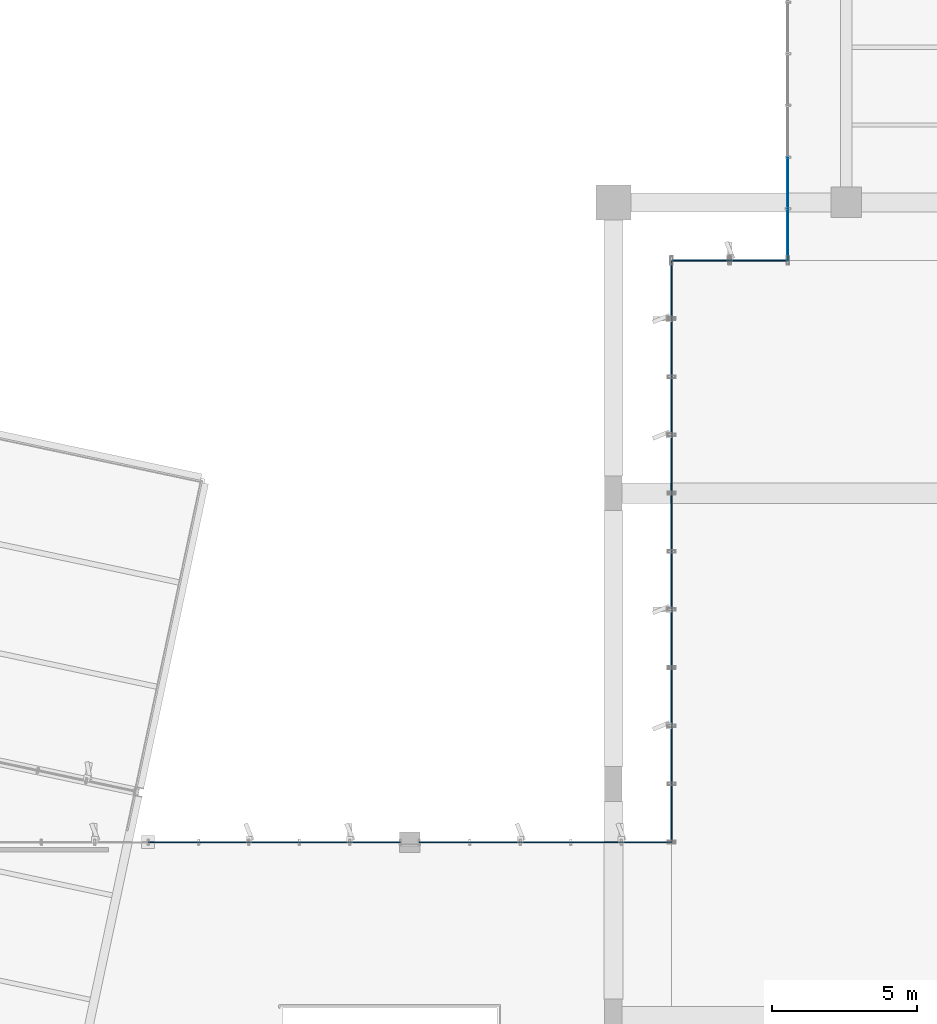
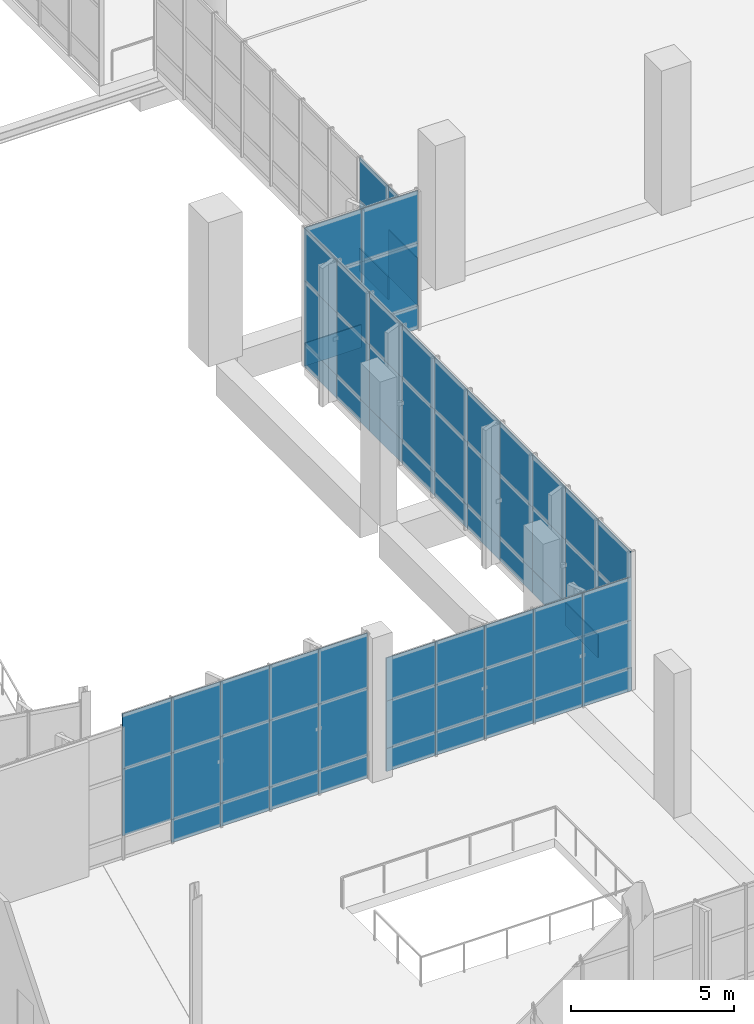
# One storey, part 123 of 176: 71 plates, 6 elements without a shape of their own.
"""IFC4 building model written with IfcOpenShell, lengths in metres."""

from ifc_helpers import new_model, si_unit, direction, frame, origin, origin_2d, place, context, subcontext, project, spatial, rectangle, extrude, material, layer, layer_set, type_object, element, aggregate, save


model = new_model("IFC4")

# Units and contexts
model_context = context("Model", 3, precision=1e-05, world=origin(), true_north=direction((0.0, 1.0)))
body_context = subcontext(model_context, "Body", "Model", "MODEL_VIEW")
ifc_project = project(units=[si_unit("LENGTHUNIT", "METRE"), si_unit("AREAUNIT", "SQUARE_METRE"), si_unit("VOLUMEUNIT", "CUBIC_METRE"), si_unit("PLANEANGLEUNIT", "RADIAN"), si_unit("MASSUNIT", "GRAM", prefix="KILO")], contexts=[model_context])

# Site, building, storey
site_placement = place(None, origin())
site = spatial("IfcSite", under=ifc_project, at=site_placement, CompositionType="ELEMENT")
building_placement = place(site_placement, origin())
building = spatial("IfcBuilding", under=site, at=building_placement, Name="Khorjan Park Terminus", CompositionType="ELEMENT")
storey_placement = place(building_placement, frame((0.0, 0.0, 6.0)))
storey = spatial("IfcBuildingStorey", under=building, at=storey_placement, Name="L01", CompositionType="ELEMENT", Elevation=6.0)

# Curtain wall, plates
ifc_material_1 = material(Name="Anodized Bronze Aluminium", Category="aluminium")
ifc_layer_1 = layer(ifc_material_1, 0.22)
ifc_layer_set_1 = layer_set([ifc_layer_1], Name="Anodized Bronze Aluminium")
curtain_wall_type_1 = type_object("IfcCurtainWallType", Name="CW-BRG-D", PredefinedType="NOTDEFINED", material=ifc_layer_set_1)
curtain_wall_1_placement = place(storey_placement, origin())
curtain_wall_1 = element("IfcCurtainWall", 1, at=curtain_wall_1_placement, inside=storey, type_object=curtain_wall_type_1, Name="Unitized curtain wall CW-D (CW-NKW-W-L01)", PredefinedType="NOTDEFINED")
ifc_material_2 = material(Name="Low-E Solar Control Double Glazing", Category="glass")
ifc_layer_2 = layer(ifc_material_2, 0.032)
ifc_layer_set_2 = layer_set([ifc_layer_2], Name="Low-E Solar Control Double Glazing")
plate_type_1 = type_object("IfcPlateType", Name="GL-VIS-32", PredefinedType="CURTAIN_PANEL", material=ifc_layer_set_2)
plate_1_placement = place(storey_placement, frame((54.0, 88.6667, 0.85), z_axis=(0.0, 0.0, 1.0), x_axis=(0.0, -1.0, 0.0)))
plate_1 = element("IfcPlate", 2, at=plate_1_placement, type_object=plate_type_1, Name="Curtain-wall panel VP-32 (CW-NKW-W-L01-7-2)", PredefinedType="CURTAIN_PANEL", context=body_context, shape_type="SweptSolid", body=[
    extrude(rectangle(XDim=1.7778, YDim=0.032, at=origin_2d()), origin(), (0.0, 0.0, 1.0), 1.7695),
])
plate_2_placement = place(storey_placement, frame((54.0, 88.6667, 2.6196), z_axis=(0.0, 0.0, 1.0), x_axis=(0.0, -1.0, 0.0)))
plate_2 = element("IfcPlate", 3, at=plate_2_placement, type_object=plate_type_1, Name="Curtain-wall panel VP-32 (CW-NKW-W-L01-7-3)", PredefinedType="CURTAIN_PANEL", context=body_context, shape_type="SweptSolid", body=[
    extrude(rectangle(XDim=1.7778, YDim=0.032, at=origin_2d()), origin(), (0.0, 0.0, 1.0), 1.6155),
])
plate_3_placement = place(storey_placement, frame((54.0, 86.8889, 0.85), z_axis=(0.0, 0.0, 1.0), x_axis=(0.0, -1.0, 0.0)))
plate_3 = element("IfcPlate", 4, at=plate_3_placement, type_object=plate_type_1, Name="Curtain-wall panel VP-32 (CW-NKW-W-L01-8-2)", PredefinedType="CURTAIN_PANEL", context=body_context, shape_type="SweptSolid", body=[
    extrude(rectangle(XDim=1.7778, YDim=0.032, at=origin_2d()), origin(), (0.0, 0.0, 1.0), 1.7695),
])
plate_4_placement = place(storey_placement, frame((54.0, 86.8889, 2.6196), z_axis=(0.0, 0.0, 1.0), x_axis=(0.0, -1.0, 0.0)))
plate_4 = element("IfcPlate", 5, at=plate_4_placement, type_object=plate_type_1, Name="Curtain-wall panel VP-32 (CW-NKW-W-L01-8-3)", PredefinedType="CURTAIN_PANEL", context=body_context, shape_type="SweptSolid", body=[
    extrude(rectangle(XDim=1.7778, YDim=0.032, at=origin_2d()), origin(), (0.0, 0.0, 1.0), 1.6155),
])

ifc_layer_3 = layer(ifc_material_1, 0.22)
ifc_layer_set_3 = layer_set([ifc_layer_3], Name="Anodized Bronze Aluminium")
curtain_wall_type_2 = type_object("IfcCurtainWallType", Name="CW-PAV-C", PredefinedType="NOTDEFINED", material=ifc_layer_set_3)
curtain_wall_2_placement = place(storey_placement, origin())
curtain_wall_2 = element("IfcCurtainWall", 6, at=curtain_wall_2_placement, inside=storey, type_object=curtain_wall_type_2, Name="Unitized curtain wall CW-C (CW-V4L-N-L01-2)", PredefinedType="NOTDEFINED")
ifc_material_3 = material(Name="Acoustic Laminated Solar Glazing", Category="glass")
ifc_layer_4 = layer(ifc_material_3, 0.036)
ifc_layer_set_4 = layer_set([ifc_layer_4], Name="Acoustic Laminated Solar Glazing")
plate_type_2 = type_object("IfcPlateType", Name="GL-VIS-36", PredefinedType="CURTAIN_PANEL", material=ifc_layer_set_4)
plate_5_placement = place(storey_placement, frame((39.803, 66.0, 0.85), z_axis=(0.0, 0.0, 1.0), x_axis=(-1.0, 0.0, 0.0)))
plate_5 = element("IfcPlate", 7, at=plate_5_placement, type_object=plate_type_2, Name="Curtain-wall panel VP-36 (CW-V4L-N-L01-2-0-2)", PredefinedType="CURTAIN_PANEL", context=body_context, shape_type="SweptSolid", body=[
    extrude(rectangle(XDim=1.734, YDim=0.036, at=origin_2d()), origin(), (0.0, 0.0, 1.0), 2.498),
])
plate_6_placement = place(storey_placement, frame((39.803, 66.0, 3.348), z_axis=(0.0, 0.0, 1.0), x_axis=(-1.0, 0.0, 0.0)))
plate_6 = element("IfcPlate", 8, at=plate_6_placement, type_object=plate_type_2, Name="Curtain-wall panel VP-36 (CW-V4L-N-L01-2-0-3)", PredefinedType="CURTAIN_PANEL", context=body_context, shape_type="SweptSolid", body=[
    extrude(rectangle(XDim=1.734, YDim=0.036, at=origin_2d()), origin(), (0.0, 0.0, 1.0), 2.062),
])
plate_7_placement = place(storey_placement, frame((38.069, 66.0, 0.85), z_axis=(0.0, 0.0, 1.0), x_axis=(-1.0, 0.0, 0.0)))
plate_7 = element("IfcPlate", 9, at=plate_7_placement, type_object=plate_type_2, Name="Curtain-wall panel VP-36 (CW-V4L-N-L01-2-1-2)", PredefinedType="CURTAIN_PANEL", context=body_context, shape_type="SweptSolid", body=[
    extrude(rectangle(XDim=1.734, YDim=0.036, at=origin_2d()), origin(), (0.0, 0.0, 1.0), 2.498),
])
plate_8_placement = place(storey_placement, frame((38.069, 66.0, 3.348), z_axis=(0.0, 0.0, 1.0), x_axis=(-1.0, 0.0, 0.0)))
plate_8 = element("IfcPlate", 10, at=plate_8_placement, type_object=plate_type_2, Name="Curtain-wall panel VP-36 (CW-V4L-N-L01-2-1-3)", PredefinedType="CURTAIN_PANEL", context=body_context, shape_type="SweptSolid", body=[
    extrude(rectangle(XDim=1.734, YDim=0.036, at=origin_2d()), origin(), (0.0, 0.0, 1.0), 2.062),
])
plate_9_placement = place(storey_placement, frame((36.335, 66.0, 0.85), z_axis=(0.0, 0.0, 1.0), x_axis=(-1.0, 0.0, 0.0)))
plate_9 = element("IfcPlate", 11, at=plate_9_placement, type_object=plate_type_2, Name="Curtain-wall panel VP-36 (CW-V4L-N-L01-2-2-2)", PredefinedType="CURTAIN_PANEL", context=body_context, shape_type="SweptSolid", body=[
    extrude(rectangle(XDim=1.734, YDim=0.036, at=origin_2d()), origin(), (0.0, 0.0, 1.0), 2.498),
])
plate_10_placement = place(storey_placement, frame((36.335, 66.0, 3.348), z_axis=(0.0, 0.0, 1.0), x_axis=(-1.0, 0.0, 0.0)))
plate_10 = element("IfcPlate", 12, at=plate_10_placement, type_object=plate_type_2, Name="Curtain-wall panel VP-36 (CW-V4L-N-L01-2-2-3)", PredefinedType="CURTAIN_PANEL", context=body_context, shape_type="SweptSolid", body=[
    extrude(rectangle(XDim=1.734, YDim=0.036, at=origin_2d()), origin(), (0.0, 0.0, 1.0), 2.062),
])
plate_11_placement = place(storey_placement, frame((34.601, 66.0, 0.85), z_axis=(0.0, 0.0, 1.0), x_axis=(-1.0, 0.0, 0.0)))
plate_11 = element("IfcPlate", 13, at=plate_11_placement, type_object=plate_type_2, Name="Curtain-wall panel VP-36 (CW-V4L-N-L01-2-3-2)", PredefinedType="CURTAIN_PANEL", context=body_context, shape_type="SweptSolid", body=[
    extrude(rectangle(XDim=1.734, YDim=0.036, at=origin_2d()), origin(), (0.0, 0.0, 1.0), 2.498),
])
plate_12_placement = place(storey_placement, frame((34.601, 66.0, 3.348), z_axis=(0.0, 0.0, 1.0), x_axis=(-1.0, 0.0, 0.0)))
plate_12 = element("IfcPlate", 14, at=plate_12_placement, type_object=plate_type_2, Name="Curtain-wall panel VP-36 (CW-V4L-N-L01-2-3-3)", PredefinedType="CURTAIN_PANEL", context=body_context, shape_type="SweptSolid", body=[
    extrude(rectangle(XDim=1.734, YDim=0.036, at=origin_2d()), origin(), (0.0, 0.0, 1.0), 2.062),
])
plate_13_placement = place(storey_placement, frame((32.867, 66.0, 0.85), z_axis=(0.0, 0.0, 1.0), x_axis=(-1.0, 0.0, 0.0)))
plate_13 = element("IfcPlate", 15, at=plate_13_placement, type_object=plate_type_2, Name="Curtain-wall panel VP-36 (CW-V4L-N-L01-2-4-2)", PredefinedType="CURTAIN_PANEL", context=body_context, shape_type="SweptSolid", body=[
    extrude(rectangle(XDim=1.734, YDim=0.036, at=origin_2d()), origin(), (0.0, 0.0, 1.0), 2.498),
])
plate_14_placement = place(storey_placement, frame((32.867, 66.0, 3.348), z_axis=(0.0, 0.0, 1.0), x_axis=(-1.0, 0.0, 0.0)))
plate_14 = element("IfcPlate", 16, at=plate_14_placement, type_object=plate_type_2, Name="Curtain-wall panel VP-36 (CW-V4L-N-L01-2-4-3)", PredefinedType="CURTAIN_PANEL", context=body_context, shape_type="SweptSolid", body=[
    extrude(rectangle(XDim=1.734, YDim=0.036, at=origin_2d()), origin(), (0.0, 0.0, 1.0), 2.062),
])

curtain_wall_3_placement = place(storey_placement, origin())
curtain_wall_3 = element("IfcCurtainWall", 17, at=curtain_wall_3_placement, inside=storey, type_object=curtain_wall_type_2, Name="Unitized curtain wall CW-C (CW-V4L-N-L01-3)", PredefinedType="NOTDEFINED")
plate_15_placement = place(storey_placement, frame((49.133, 66.0, 0.85), z_axis=(0.0, 0.0, 1.0), x_axis=(-1.0, 0.0, 0.0)))
plate_15 = element("IfcPlate", 18, at=plate_15_placement, type_object=plate_type_2, Name="Curtain-wall panel VP-36 (CW-V4L-N-L01-3-0-2)", PredefinedType="CURTAIN_PANEL", context=body_context, shape_type="SweptSolid", body=[
    extrude(rectangle(XDim=1.734, YDim=0.036, at=origin_2d()), origin(), (0.0, 0.0, 1.0), 1.7695),
])
plate_16_placement = place(storey_placement, frame((49.133, 66.0, 2.6196), z_axis=(0.0, 0.0, 1.0), x_axis=(-1.0, 0.0, 0.0)))
plate_16 = element("IfcPlate", 19, at=plate_16_placement, type_object=plate_type_2, Name="Curtain-wall panel VP-36 (CW-V4L-N-L01-3-0-3)", PredefinedType="CURTAIN_PANEL", context=body_context, shape_type="SweptSolid", body=[
    extrude(rectangle(XDim=1.734, YDim=0.036, at=origin_2d()), origin(), (0.0, 0.0, 1.0), 1.6155),
])
plate_17_placement = place(storey_placement, frame((47.399, 66.0, 0.85), z_axis=(0.0, 0.0, 1.0), x_axis=(-1.0, 0.0, 0.0)))
plate_17 = element("IfcPlate", 20, at=plate_17_placement, type_object=plate_type_2, Name="Curtain-wall panel VP-36 (CW-V4L-N-L01-3-1-2)", PredefinedType="CURTAIN_PANEL", context=body_context, shape_type="SweptSolid", body=[
    extrude(rectangle(XDim=1.734, YDim=0.036, at=origin_2d()), origin(), (0.0, 0.0, 1.0), 1.7695),
])
plate_18_placement = place(storey_placement, frame((47.399, 66.0, 2.6196), z_axis=(0.0, 0.0, 1.0), x_axis=(-1.0, 0.0, 0.0)))
plate_18 = element("IfcPlate", 21, at=plate_18_placement, type_object=plate_type_2, Name="Curtain-wall panel VP-36 (CW-V4L-N-L01-3-1-3)", PredefinedType="CURTAIN_PANEL", context=body_context, shape_type="SweptSolid", body=[
    extrude(rectangle(XDim=1.734, YDim=0.036, at=origin_2d()), origin(), (0.0, 0.0, 1.0), 1.6155),
])
plate_19_placement = place(storey_placement, frame((45.665, 66.0, 0.85), z_axis=(0.0, 0.0, 1.0), x_axis=(-1.0, 0.0, 0.0)))
plate_19 = element("IfcPlate", 22, at=plate_19_placement, type_object=plate_type_2, Name="Curtain-wall panel VP-36 (CW-V4L-N-L01-3-2-2)", PredefinedType="CURTAIN_PANEL", context=body_context, shape_type="SweptSolid", body=[
    extrude(rectangle(XDim=1.734, YDim=0.036, at=origin_2d()), origin(), (0.0, 0.0, 1.0), 1.7695),
])
plate_20_placement = place(storey_placement, frame((45.665, 66.0, 2.6196), z_axis=(0.0, 0.0, 1.0), x_axis=(-1.0, 0.0, 0.0)))
plate_20 = element("IfcPlate", 23, at=plate_20_placement, type_object=plate_type_2, Name="Curtain-wall panel VP-36 (CW-V4L-N-L01-3-2-3)", PredefinedType="CURTAIN_PANEL", context=body_context, shape_type="SweptSolid", body=[
    extrude(rectangle(XDim=1.734, YDim=0.036, at=origin_2d()), origin(), (0.0, 0.0, 1.0), 1.6155),
])
plate_21_placement = place(storey_placement, frame((43.931, 66.0, 0.85), z_axis=(0.0, 0.0, 1.0), x_axis=(-1.0, 0.0, 0.0)))
plate_21 = element("IfcPlate", 24, at=plate_21_placement, type_object=plate_type_2, Name="Curtain-wall panel VP-36 (CW-V4L-N-L01-3-3-2)", PredefinedType="CURTAIN_PANEL", context=body_context, shape_type="SweptSolid", body=[
    extrude(rectangle(XDim=1.734, YDim=0.036, at=origin_2d()), origin(), (0.0, 0.0, 1.0), 1.7695),
])
plate_22_placement = place(storey_placement, frame((43.931, 66.0, 2.6196), z_axis=(0.0, 0.0, 1.0), x_axis=(-1.0, 0.0, 0.0)))
plate_22 = element("IfcPlate", 25, at=plate_22_placement, type_object=plate_type_2, Name="Curtain-wall panel VP-36 (CW-V4L-N-L01-3-3-3)", PredefinedType="CURTAIN_PANEL", context=body_context, shape_type="SweptSolid", body=[
    extrude(rectangle(XDim=1.734, YDim=0.036, at=origin_2d()), origin(), (0.0, 0.0, 1.0), 1.6155),
])
plate_23_placement = place(storey_placement, frame((42.197, 66.0, 0.85), z_axis=(0.0, 0.0, 1.0), x_axis=(-1.0, 0.0, 0.0)))
plate_23 = element("IfcPlate", 26, at=plate_23_placement, type_object=plate_type_2, Name="Curtain-wall panel VP-36 (CW-V4L-N-L01-3-4-2)", PredefinedType="CURTAIN_PANEL", context=body_context, shape_type="SweptSolid", body=[
    extrude(rectangle(XDim=1.734, YDim=0.036, at=origin_2d()), origin(), (0.0, 0.0, 1.0), 1.7695),
])
plate_24_placement = place(storey_placement, frame((42.197, 66.0, 2.6196), z_axis=(0.0, 0.0, 1.0), x_axis=(-1.0, 0.0, 0.0)))
plate_24 = element("IfcPlate", 27, at=plate_24_placement, type_object=plate_type_2, Name="Curtain-wall panel VP-36 (CW-V4L-N-L01-3-4-3)", PredefinedType="CURTAIN_PANEL", context=body_context, shape_type="SweptSolid", body=[
    extrude(rectangle(XDim=1.734, YDim=0.036, at=origin_2d()), origin(), (0.0, 0.0, 1.0), 1.6155),
])

ifc_layer_5 = layer(ifc_material_1, 0.22)
ifc_layer_set_5 = layer_set([ifc_layer_5], Name="Anodized Bronze Aluminium")
curtain_wall_type_3 = type_object("IfcCurtainWallType", Name="CW-CONC-A", PredefinedType="NOTDEFINED", material=ifc_layer_set_5)
curtain_wall_4_placement = place(storey_placement, origin())
curtain_wall_4 = element("IfcCurtainWall", 28, at=curtain_wall_4_placement, inside=storey, type_object=curtain_wall_type_3, Name="Unitized curtain wall CW-A (CW-V2-N-L01-01)", PredefinedType="NOTDEFINED")
ifc_material_4 = material(Name="Triple Low-E High-Selectivity Glazing", Category="glass")
ifc_layer_6 = layer(ifc_material_4, 0.04)
ifc_layer_set_6 = layer_set([ifc_layer_6], Name="Triple Low-E High-Selectivity Glazing")
plate_type_3 = type_object("IfcPlateType", Name="GL-VIS-40", PredefinedType="CURTAIN_PANEL", material=ifc_layer_set_6)
plate_25_placement = place(storey_placement, frame((53.0, 86.0, 0.85), z_axis=(0.0, 0.0, 1.0), x_axis=(-1.0, 0.0, 0.0)))
plate_25 = element("IfcPlate", 29, at=plate_25_placement, type_object=plate_type_3, Name="Curtain-wall panel VP-40 (CW-V2-N-L01-01-0-2)", PredefinedType="CURTAIN_PANEL", context=body_context, shape_type="SweptSolid", body=[
    extrude(rectangle(XDim=2.0, YDim=0.04, at=origin_2d()), origin(), (0.0, 0.0, 1.0), 2.343),
])
plate_26_placement = place(storey_placement, frame((53.0, 86.0, 3.193), z_axis=(0.0, 0.0, 1.0), x_axis=(-1.0, 0.0, 0.0)))
plate_26 = element("IfcPlate", 30, at=plate_26_placement, type_object=plate_type_3, Name="Curtain-wall panel VP-40 (CW-V2-N-L01-01-0-3)", PredefinedType="CURTAIN_PANEL", context=body_context, shape_type="SweptSolid", body=[
    extrude(rectangle(XDim=2.0, YDim=0.04, at=origin_2d()), origin(), (0.0, 0.0, 1.0), 1.967),
])
plate_27_placement = place(storey_placement, frame((51.0, 86.0, 0.85), z_axis=(0.0, 0.0, 1.0), x_axis=(-1.0, 0.0, 0.0)))
plate_27 = element("IfcPlate", 31, at=plate_27_placement, type_object=plate_type_3, Name="Curtain-wall panel VP-40 (CW-V2-N-L01-01-1-2)", PredefinedType="CURTAIN_PANEL", context=body_context, shape_type="SweptSolid", body=[
    extrude(rectangle(XDim=2.0, YDim=0.04, at=origin_2d()), origin(), (0.0, 0.0, 1.0), 2.343),
])
plate_28_placement = place(storey_placement, frame((51.0, 86.0, 3.193), z_axis=(0.0, 0.0, 1.0), x_axis=(-1.0, 0.0, 0.0)))
plate_28 = element("IfcPlate", 32, at=plate_28_placement, type_object=plate_type_3, Name="Curtain-wall panel VP-40 (CW-V2-N-L01-01-1-3)", PredefinedType="CURTAIN_PANEL", context=body_context, shape_type="SweptSolid", body=[
    extrude(rectangle(XDim=2.0, YDim=0.04, at=origin_2d()), origin(), (0.0, 0.0, 1.0), 1.967),
])

curtain_wall_5_placement = place(storey_placement, origin())
curtain_wall_5 = element("IfcCurtainWall", 33, at=curtain_wall_5_placement, inside=storey, type_object=curtain_wall_type_3, Name="Unitized curtain wall CW-A (CW-V2-W-L01-04)", PredefinedType="NOTDEFINED")
plate_29_placement = place(storey_placement, frame((50.0, 75.0, 0.85), z_axis=(0.0, 0.0, 1.0), x_axis=(0.0, -1.0, 0.0)))
plate_29 = element("IfcPlate", 34, at=plate_29_placement, type_object=plate_type_3, Name="Curtain-wall panel VP-40 (CW-V2-W-L01-04-0-2)", PredefinedType="CURTAIN_PANEL", context=body_context, shape_type="SweptSolid", body=[
    extrude(rectangle(XDim=2.0, YDim=0.04, at=origin_2d()), origin(), (0.0, 0.0, 1.0), 2.343),
])
plate_30_placement = place(storey_placement, frame((50.0, 75.0, 3.193), z_axis=(0.0, 0.0, 1.0), x_axis=(0.0, -1.0, 0.0)))
plate_30 = element("IfcPlate", 35, at=plate_30_placement, type_object=plate_type_3, Name="Curtain-wall panel VP-40 (CW-V2-W-L01-04-0-3)", PredefinedType="CURTAIN_PANEL", context=body_context, shape_type="SweptSolid", body=[
    extrude(rectangle(XDim=2.0, YDim=0.04, at=origin_2d()), origin(), (0.0, 0.0, 1.0), 1.967),
])
plate_31_placement = place(storey_placement, frame((50.0, 73.0, 0.85), z_axis=(0.0, 0.0, 1.0), x_axis=(0.0, -1.0, 0.0)))
plate_31 = element("IfcPlate", 36, at=plate_31_placement, type_object=plate_type_3, Name="Curtain-wall panel VP-40 (CW-V2-W-L01-04-1-2)", PredefinedType="CURTAIN_PANEL", context=body_context, shape_type="SweptSolid", body=[
    extrude(rectangle(XDim=2.0, YDim=0.04, at=origin_2d()), origin(), (0.0, 0.0, 1.0), 2.343),
])
plate_32_placement = place(storey_placement, frame((50.0, 73.0, 3.193), z_axis=(0.0, 0.0, 1.0), x_axis=(0.0, -1.0, 0.0)))
plate_32 = element("IfcPlate", 37, at=plate_32_placement, type_object=plate_type_3, Name="Curtain-wall panel VP-40 (CW-V2-W-L01-04-1-3)", PredefinedType="CURTAIN_PANEL", context=body_context, shape_type="SweptSolid", body=[
    extrude(rectangle(XDim=2.0, YDim=0.04, at=origin_2d()), origin(), (0.0, 0.0, 1.0), 1.967),
])
plate_33_placement = place(storey_placement, frame((50.0, 71.0, 0.85), z_axis=(0.0, 0.0, 1.0), x_axis=(0.0, -1.0, 0.0)))
plate_33 = element("IfcPlate", 38, at=plate_33_placement, type_object=plate_type_3, Name="Curtain-wall panel VP-40 (CW-V2-W-L01-04-2-2)", PredefinedType="CURTAIN_PANEL", context=body_context, shape_type="SweptSolid", body=[
    extrude(rectangle(XDim=2.0, YDim=0.04, at=origin_2d()), origin(), (0.0, 0.0, 1.0), 2.343),
])
plate_34_placement = place(storey_placement, frame((50.0, 71.0, 3.193), z_axis=(0.0, 0.0, 1.0), x_axis=(0.0, -1.0, 0.0)))
plate_34 = element("IfcPlate", 39, at=plate_34_placement, type_object=plate_type_3, Name="Curtain-wall panel VP-40 (CW-V2-W-L01-04-2-3)", PredefinedType="CURTAIN_PANEL", context=body_context, shape_type="SweptSolid", body=[
    extrude(rectangle(XDim=2.0, YDim=0.04, at=origin_2d()), origin(), (0.0, 0.0, 1.0), 1.967),
])
plate_35_placement = place(storey_placement, frame((50.0, 69.0, 0.85), z_axis=(0.0, 0.0, 1.0), x_axis=(0.0, -1.0, 0.0)))
plate_35 = element("IfcPlate", 40, at=plate_35_placement, type_object=plate_type_3, Name="Curtain-wall panel VP-40 (CW-V2-W-L01-04-3-2)", PredefinedType="CURTAIN_PANEL", context=body_context, shape_type="SweptSolid", body=[
    extrude(rectangle(XDim=2.0, YDim=0.04, at=origin_2d()), origin(), (0.0, 0.0, 1.0), 2.343),
])
plate_36_placement = place(storey_placement, frame((50.0, 69.0, 3.193), z_axis=(0.0, 0.0, 1.0), x_axis=(0.0, -1.0, 0.0)))
plate_36 = element("IfcPlate", 41, at=plate_36_placement, type_object=plate_type_3, Name="Curtain-wall panel VP-40 (CW-V2-W-L01-04-3-3)", PredefinedType="CURTAIN_PANEL", context=body_context, shape_type="SweptSolid", body=[
    extrude(rectangle(XDim=2.0, YDim=0.04, at=origin_2d()), origin(), (0.0, 0.0, 1.0), 1.967),
])
plate_37_placement = place(storey_placement, frame((50.0, 67.0, 0.85), z_axis=(0.0, 0.0, 1.0), x_axis=(0.0, -1.0, 0.0)))
plate_37 = element("IfcPlate", 42, at=plate_37_placement, type_object=plate_type_3, Name="Curtain-wall panel VP-40 (CW-V2-W-L01-04-4-2)", PredefinedType="CURTAIN_PANEL", context=body_context, shape_type="SweptSolid", body=[
    extrude(rectangle(XDim=2.0, YDim=0.04, at=origin_2d()), origin(), (0.0, 0.0, 1.0), 2.343),
])
plate_38_placement = place(storey_placement, frame((50.0, 67.0, 3.193), z_axis=(0.0, 0.0, 1.0), x_axis=(0.0, -1.0, 0.0)))
plate_38 = element("IfcPlate", 43, at=plate_38_placement, type_object=plate_type_3, Name="Curtain-wall panel VP-40 (CW-V2-W-L01-04-4-3)", PredefinedType="CURTAIN_PANEL", context=body_context, shape_type="SweptSolid", body=[
    extrude(rectangle(XDim=2.0, YDim=0.04, at=origin_2d()), origin(), (0.0, 0.0, 1.0), 1.967),
])

curtain_wall_6_placement = place(storey_placement, origin())
curtain_wall_6 = element("IfcCurtainWall", 44, at=curtain_wall_6_placement, inside=storey, type_object=curtain_wall_type_3, Name="Unitized curtain wall CW-A (CW-V2-W-L01-05)", PredefinedType="NOTDEFINED")
plate_39_placement = place(storey_placement, frame((50.0, 85.0, 0.85), z_axis=(0.0, 0.0, 1.0), x_axis=(0.0, -1.0, 0.0)))
plate_39 = element("IfcPlate", 45, at=plate_39_placement, type_object=plate_type_3, Name="Curtain-wall panel VP-40 (CW-V2-W-L01-05-0-2)", PredefinedType="CURTAIN_PANEL", context=body_context, shape_type="SweptSolid", body=[
    extrude(rectangle(XDim=2.0, YDim=0.04, at=origin_2d()), origin(), (0.0, 0.0, 1.0), 2.343),
])
plate_40_placement = place(storey_placement, frame((50.0, 85.0, 3.193), z_axis=(0.0, 0.0, 1.0), x_axis=(0.0, -1.0, 0.0)))
plate_40 = element("IfcPlate", 46, at=plate_40_placement, type_object=plate_type_3, Name="Curtain-wall panel VP-40 (CW-V2-W-L01-05-0-3)", PredefinedType="CURTAIN_PANEL", context=body_context, shape_type="SweptSolid", body=[
    extrude(rectangle(XDim=2.0, YDim=0.04, at=origin_2d()), origin(), (0.0, 0.0, 1.0), 1.967),
])
plate_41_placement = place(storey_placement, frame((50.0, 83.0, 0.85), z_axis=(0.0, 0.0, 1.0), x_axis=(0.0, -1.0, 0.0)))
plate_41 = element("IfcPlate", 47, at=plate_41_placement, type_object=plate_type_3, Name="Curtain-wall panel VP-40 (CW-V2-W-L01-05-1-2)", PredefinedType="CURTAIN_PANEL", context=body_context, shape_type="SweptSolid", body=[
    extrude(rectangle(XDim=2.0, YDim=0.04, at=origin_2d()), origin(), (0.0, 0.0, 1.0), 2.343),
])
plate_42_placement = place(storey_placement, frame((50.0, 83.0, 3.193), z_axis=(0.0, 0.0, 1.0), x_axis=(0.0, -1.0, 0.0)))
plate_42 = element("IfcPlate", 48, at=plate_42_placement, type_object=plate_type_3, Name="Curtain-wall panel VP-40 (CW-V2-W-L01-05-1-3)", PredefinedType="CURTAIN_PANEL", context=body_context, shape_type="SweptSolid", body=[
    extrude(rectangle(XDim=2.0, YDim=0.04, at=origin_2d()), origin(), (0.0, 0.0, 1.0), 1.967),
])
plate_43_placement = place(storey_placement, frame((50.0, 81.0, 0.85), z_axis=(0.0, 0.0, 1.0), x_axis=(0.0, -1.0, 0.0)))
plate_43 = element("IfcPlate", 49, at=plate_43_placement, type_object=plate_type_3, Name="Curtain-wall panel VP-40 (CW-V2-W-L01-05-2-2)", PredefinedType="CURTAIN_PANEL", context=body_context, shape_type="SweptSolid", body=[
    extrude(rectangle(XDim=2.0, YDim=0.04, at=origin_2d()), origin(), (0.0, 0.0, 1.0), 2.343),
])
plate_44_placement = place(storey_placement, frame((50.0, 81.0, 3.193), z_axis=(0.0, 0.0, 1.0), x_axis=(0.0, -1.0, 0.0)))
plate_44 = element("IfcPlate", 50, at=plate_44_placement, type_object=plate_type_3, Name="Curtain-wall panel VP-40 (CW-V2-W-L01-05-2-3)", PredefinedType="CURTAIN_PANEL", context=body_context, shape_type="SweptSolid", body=[
    extrude(rectangle(XDim=2.0, YDim=0.04, at=origin_2d()), origin(), (0.0, 0.0, 1.0), 1.967),
])
plate_45_placement = place(storey_placement, frame((50.0, 79.0, 0.85), z_axis=(0.0, 0.0, 1.0), x_axis=(0.0, -1.0, 0.0)))
plate_45 = element("IfcPlate", 51, at=plate_45_placement, type_object=plate_type_3, Name="Curtain-wall panel VP-40 (CW-V2-W-L01-05-3-2)", PredefinedType="CURTAIN_PANEL", context=body_context, shape_type="SweptSolid", body=[
    extrude(rectangle(XDim=2.0, YDim=0.04, at=origin_2d()), origin(), (0.0, 0.0, 1.0), 2.343),
])
plate_46_placement = place(storey_placement, frame((50.0, 79.0, 3.193), z_axis=(0.0, 0.0, 1.0), x_axis=(0.0, -1.0, 0.0)))
plate_46 = element("IfcPlate", 52, at=plate_46_placement, type_object=plate_type_3, Name="Curtain-wall panel VP-40 (CW-V2-W-L01-05-3-3)", PredefinedType="CURTAIN_PANEL", context=body_context, shape_type="SweptSolid", body=[
    extrude(rectangle(XDim=2.0, YDim=0.04, at=origin_2d()), origin(), (0.0, 0.0, 1.0), 1.967),
])
plate_47_placement = place(storey_placement, frame((50.0, 77.0, 0.85), z_axis=(0.0, 0.0, 1.0), x_axis=(0.0, -1.0, 0.0)))
plate_47 = element("IfcPlate", 53, at=plate_47_placement, type_object=plate_type_3, Name="Curtain-wall panel VP-40 (CW-V2-W-L01-05-4-2)", PredefinedType="CURTAIN_PANEL", context=body_context, shape_type="SweptSolid", body=[
    extrude(rectangle(XDim=2.0, YDim=0.04, at=origin_2d()), origin(), (0.0, 0.0, 1.0), 2.343),
])
plate_48_placement = place(storey_placement, frame((50.0, 77.0, 3.193), z_axis=(0.0, 0.0, 1.0), x_axis=(0.0, -1.0, 0.0)))
plate_48 = element("IfcPlate", 54, at=plate_48_placement, type_object=plate_type_3, Name="Curtain-wall panel VP-40 (CW-V2-W-L01-05-4-3)", PredefinedType="CURTAIN_PANEL", context=body_context, shape_type="SweptSolid", body=[
    extrude(rectangle(XDim=2.0, YDim=0.04, at=origin_2d()), origin(), (0.0, 0.0, 1.0), 1.967),
])

# Plate
ifc_material_5 = material(Name="Insulated Anodized Bronze Spandrel Panel")
ifc_layer_7 = layer(ifc_material_5, 0.045)
ifc_layer_set_7 = layer_set([ifc_layer_7], Name="Insulated Anodized Bronze Spandrel Panel")
plate_type_4 = type_object("IfcPlateType", Name="SP-AL-45", PredefinedType="CURTAIN_PANEL", material=ifc_layer_set_7)
plate_49_placement = place(storey_placement, frame((53.0, 86.0, -0.01), z_axis=(0.0, 0.0, 1.0), x_axis=(-1.0, 0.0, 0.0)))
plate_49 = element("IfcPlate", 55, at=plate_49_placement, type_object=plate_type_4, Name="Curtain-wall panel SP-A45 (CW-V2-N-L01-01-0-1)", PredefinedType="CURTAIN_PANEL", context=body_context, shape_type="SweptSolid", body=[
    extrude(rectangle(XDim=2.0, YDim=0.045, at=origin_2d()), origin(), (0.0, 0.0, 1.0), 0.86),
])

plate_50_placement = place(storey_placement, frame((51.0, 86.0, -0.01), z_axis=(0.0, 0.0, 1.0), x_axis=(-1.0, 0.0, 0.0)))
plate_50 = element("IfcPlate", 56, at=plate_50_placement, type_object=plate_type_4, Name="Curtain-wall panel SP-A45 (CW-V2-N-L01-01-1-1)", PredefinedType="CURTAIN_PANEL", context=body_context, shape_type="SweptSolid", body=[
    extrude(rectangle(XDim=2.0, YDim=0.045, at=origin_2d()), origin(), (0.0, 0.0, 1.0), 0.86),
])

aggregate(curtain_wall_4, [plate_49, plate_25, plate_26, plate_50, plate_27, plate_28])

plate_51_placement = place(storey_placement, frame((50.0, 75.0, -0.01), z_axis=(0.0, 0.0, 1.0), x_axis=(0.0, -1.0, 0.0)))
plate_51 = element("IfcPlate", 57, at=plate_51_placement, type_object=plate_type_4, Name="Curtain-wall panel SP-A45 (CW-V2-W-L01-04-0-1)", PredefinedType="CURTAIN_PANEL", context=body_context, shape_type="SweptSolid", body=[
    extrude(rectangle(XDim=2.0, YDim=0.045, at=origin_2d()), origin(), (0.0, 0.0, 1.0), 0.86),
])

plate_52_placement = place(storey_placement, frame((50.0, 73.0, -0.01), z_axis=(0.0, 0.0, 1.0), x_axis=(0.0, -1.0, 0.0)))
plate_52 = element("IfcPlate", 58, at=plate_52_placement, type_object=plate_type_4, Name="Curtain-wall panel SP-A45 (CW-V2-W-L01-04-1-1)", PredefinedType="CURTAIN_PANEL", context=body_context, shape_type="SweptSolid", body=[
    extrude(rectangle(XDim=2.0, YDim=0.045, at=origin_2d()), origin(), (0.0, 0.0, 1.0), 0.86),
])

plate_53_placement = place(storey_placement, frame((50.0, 71.0, -0.01), z_axis=(0.0, 0.0, 1.0), x_axis=(0.0, -1.0, 0.0)))
plate_53 = element("IfcPlate", 59, at=plate_53_placement, type_object=plate_type_4, Name="Curtain-wall panel SP-A45 (CW-V2-W-L01-04-2-1)", PredefinedType="CURTAIN_PANEL", context=body_context, shape_type="SweptSolid", body=[
    extrude(rectangle(XDim=2.0, YDim=0.045, at=origin_2d()), origin(), (0.0, 0.0, 1.0), 0.86),
])

plate_54_placement = place(storey_placement, frame((50.0, 69.0, -0.01), z_axis=(0.0, 0.0, 1.0), x_axis=(0.0, -1.0, 0.0)))
plate_54 = element("IfcPlate", 60, at=plate_54_placement, type_object=plate_type_4, Name="Curtain-wall panel SP-A45 (CW-V2-W-L01-04-3-1)", PredefinedType="CURTAIN_PANEL", context=body_context, shape_type="SweptSolid", body=[
    extrude(rectangle(XDim=2.0, YDim=0.045, at=origin_2d()), origin(), (0.0, 0.0, 1.0), 0.86),
])

plate_55_placement = place(storey_placement, frame((50.0, 67.0, -0.01), z_axis=(0.0, 0.0, 1.0), x_axis=(0.0, -1.0, 0.0)))
plate_55 = element("IfcPlate", 61, at=plate_55_placement, type_object=plate_type_4, Name="Curtain-wall panel SP-A45 (CW-V2-W-L01-04-4-1)", PredefinedType="CURTAIN_PANEL", context=body_context, shape_type="SweptSolid", body=[
    extrude(rectangle(XDim=2.0, YDim=0.045, at=origin_2d()), origin(), (0.0, 0.0, 1.0), 0.86),
])

aggregate(curtain_wall_5, [plate_51, plate_29, plate_30, plate_52, plate_31, plate_32, plate_53, plate_33, plate_34, plate_54, plate_35, plate_36, plate_55, plate_37, plate_38])

plate_56_placement = place(storey_placement, frame((50.0, 85.0, -0.01), z_axis=(0.0, 0.0, 1.0), x_axis=(0.0, -1.0, 0.0)))
plate_56 = element("IfcPlate", 62, at=plate_56_placement, type_object=plate_type_4, Name="Curtain-wall panel SP-A45 (CW-V2-W-L01-05-0-1)", PredefinedType="CURTAIN_PANEL", context=body_context, shape_type="SweptSolid", body=[
    extrude(rectangle(XDim=2.0, YDim=0.045, at=origin_2d()), origin(), (0.0, 0.0, 1.0), 0.86),
])

plate_57_placement = place(storey_placement, frame((50.0, 83.0, -0.01), z_axis=(0.0, 0.0, 1.0), x_axis=(0.0, -1.0, 0.0)))
plate_57 = element("IfcPlate", 63, at=plate_57_placement, type_object=plate_type_4, Name="Curtain-wall panel SP-A45 (CW-V2-W-L01-05-1-1)", PredefinedType="CURTAIN_PANEL", context=body_context, shape_type="SweptSolid", body=[
    extrude(rectangle(XDim=2.0, YDim=0.045, at=origin_2d()), origin(), (0.0, 0.0, 1.0), 0.86),
])

plate_58_placement = place(storey_placement, frame((50.0, 81.0, -0.01), z_axis=(0.0, 0.0, 1.0), x_axis=(0.0, -1.0, 0.0)))
plate_58 = element("IfcPlate", 64, at=plate_58_placement, type_object=plate_type_4, Name="Curtain-wall panel SP-A45 (CW-V2-W-L01-05-2-1)", PredefinedType="CURTAIN_PANEL", context=body_context, shape_type="SweptSolid", body=[
    extrude(rectangle(XDim=2.0, YDim=0.045, at=origin_2d()), origin(), (0.0, 0.0, 1.0), 0.86),
])

plate_59_placement = place(storey_placement, frame((50.0, 79.0, -0.01), z_axis=(0.0, 0.0, 1.0), x_axis=(0.0, -1.0, 0.0)))
plate_59 = element("IfcPlate", 65, at=plate_59_placement, type_object=plate_type_4, Name="Curtain-wall panel SP-A45 (CW-V2-W-L01-05-3-1)", PredefinedType="CURTAIN_PANEL", context=body_context, shape_type="SweptSolid", body=[
    extrude(rectangle(XDim=2.0, YDim=0.045, at=origin_2d()), origin(), (0.0, 0.0, 1.0), 0.86),
])

plate_60_placement = place(storey_placement, frame((50.0, 77.0, -0.01), z_axis=(0.0, 0.0, 1.0), x_axis=(0.0, -1.0, 0.0)))
plate_60 = element("IfcPlate", 66, at=plate_60_placement, type_object=plate_type_4, Name="Curtain-wall panel SP-A45 (CW-V2-W-L01-05-4-1)", PredefinedType="CURTAIN_PANEL", context=body_context, shape_type="SweptSolid", body=[
    extrude(rectangle(XDim=2.0, YDim=0.045, at=origin_2d()), origin(), (0.0, 0.0, 1.0), 0.86),
])

aggregate(curtain_wall_6, [plate_56, plate_39, plate_40, plate_57, plate_41, plate_42, plate_58, plate_43, plate_44, plate_59, plate_45, plate_46, plate_60, plate_47, plate_48])

plate_61_placement = place(storey_placement, frame((54.0, 88.6667, -0.01), z_axis=(0.0, 0.0, 1.0), x_axis=(0.0, -1.0, 0.0)))
plate_61 = element("IfcPlate", 67, at=plate_61_placement, type_object=plate_type_4, Name="Curtain-wall panel SP-A45 (CW-NKW-W-L01-7-1)", PredefinedType="CURTAIN_PANEL", context=body_context, shape_type="SweptSolid", body=[
    extrude(rectangle(XDim=1.7778, YDim=0.045, at=origin_2d()), origin(), (0.0, 0.0, 1.0), 0.86),
])

plate_62_placement = place(storey_placement, frame((54.0, 86.8889, -0.01), z_axis=(0.0, 0.0, 1.0), x_axis=(0.0, -1.0, 0.0)))
plate_62 = element("IfcPlate", 68, at=plate_62_placement, type_object=plate_type_4, Name="Curtain-wall panel SP-A45 (CW-NKW-W-L01-8-1)", PredefinedType="CURTAIN_PANEL", context=body_context, shape_type="SweptSolid", body=[
    extrude(rectangle(XDim=1.7778, YDim=0.045, at=origin_2d()), origin(), (0.0, 0.0, 1.0), 0.86),
])

aggregate(curtain_wall_1, [plate_61, plate_1, plate_2, plate_62, plate_3, plate_4])

plate_63_placement = place(storey_placement, frame((39.803, 66.0, -0.01), z_axis=(0.0, 0.0, 1.0), x_axis=(-1.0, 0.0, 0.0)))
plate_63 = element("IfcPlate", 69, at=plate_63_placement, type_object=plate_type_4, Name="Curtain-wall panel SP-A45 (CW-V4L-N-L01-2-0-1)", PredefinedType="CURTAIN_PANEL", context=body_context, shape_type="SweptSolid", body=[
    extrude(rectangle(XDim=1.734, YDim=0.045, at=origin_2d()), origin(), (0.0, 0.0, 1.0), 0.86),
])

plate_64_placement = place(storey_placement, frame((38.069, 66.0, -0.01), z_axis=(0.0, 0.0, 1.0), x_axis=(-1.0, 0.0, 0.0)))
plate_64 = element("IfcPlate", 70, at=plate_64_placement, type_object=plate_type_4, Name="Curtain-wall panel SP-A45 (CW-V4L-N-L01-2-1-1)", PredefinedType="CURTAIN_PANEL", context=body_context, shape_type="SweptSolid", body=[
    extrude(rectangle(XDim=1.734, YDim=0.045, at=origin_2d()), origin(), (0.0, 0.0, 1.0), 0.86),
])

plate_65_placement = place(storey_placement, frame((36.335, 66.0, -0.01), z_axis=(0.0, 0.0, 1.0), x_axis=(-1.0, 0.0, 0.0)))
plate_65 = element("IfcPlate", 71, at=plate_65_placement, type_object=plate_type_4, Name="Curtain-wall panel SP-A45 (CW-V4L-N-L01-2-2-1)", PredefinedType="CURTAIN_PANEL", context=body_context, shape_type="SweptSolid", body=[
    extrude(rectangle(XDim=1.734, YDim=0.045, at=origin_2d()), origin(), (0.0, 0.0, 1.0), 0.86),
])

plate_66_placement = place(storey_placement, frame((34.601, 66.0, -0.01), z_axis=(0.0, 0.0, 1.0), x_axis=(-1.0, 0.0, 0.0)))
plate_66 = element("IfcPlate", 72, at=plate_66_placement, type_object=plate_type_4, Name="Curtain-wall panel SP-A45 (CW-V4L-N-L01-2-3-1)", PredefinedType="CURTAIN_PANEL", context=body_context, shape_type="SweptSolid", body=[
    extrude(rectangle(XDim=1.734, YDim=0.045, at=origin_2d()), origin(), (0.0, 0.0, 1.0), 0.86),
])

aggregate(curtain_wall_2, [plate_63, plate_5, plate_6, plate_64, plate_7, plate_8, plate_65, plate_9, plate_10, plate_66, plate_11, plate_12, plate_13, plate_14])

plate_67_placement = place(storey_placement, frame((49.133, 66.0, -0.01), z_axis=(0.0, 0.0, 1.0), x_axis=(-1.0, 0.0, 0.0)))
plate_67 = element("IfcPlate", 73, at=plate_67_placement, type_object=plate_type_4, Name="Curtain-wall panel SP-A45 (CW-V4L-N-L01-3-0-1)", PredefinedType="CURTAIN_PANEL", context=body_context, shape_type="SweptSolid", body=[
    extrude(rectangle(XDim=1.734, YDim=0.045, at=origin_2d()), origin(), (0.0, 0.0, 1.0), 0.86),
])

plate_68_placement = place(storey_placement, frame((47.399, 66.0, -0.01), z_axis=(0.0, 0.0, 1.0), x_axis=(-1.0, 0.0, 0.0)))
plate_68 = element("IfcPlate", 74, at=plate_68_placement, type_object=plate_type_4, Name="Curtain-wall panel SP-A45 (CW-V4L-N-L01-3-1-1)", PredefinedType="CURTAIN_PANEL", context=body_context, shape_type="SweptSolid", body=[
    extrude(rectangle(XDim=1.734, YDim=0.045, at=origin_2d()), origin(), (0.0, 0.0, 1.0), 0.86),
])

plate_69_placement = place(storey_placement, frame((45.665, 66.0, -0.01), z_axis=(0.0, 0.0, 1.0), x_axis=(-1.0, 0.0, 0.0)))
plate_69 = element("IfcPlate", 75, at=plate_69_placement, type_object=plate_type_4, Name="Curtain-wall panel SP-A45 (CW-V4L-N-L01-3-2-1)", PredefinedType="CURTAIN_PANEL", context=body_context, shape_type="SweptSolid", body=[
    extrude(rectangle(XDim=1.734, YDim=0.045, at=origin_2d()), origin(), (0.0, 0.0, 1.0), 0.86),
])

plate_70_placement = place(storey_placement, frame((43.931, 66.0, -0.01), z_axis=(0.0, 0.0, 1.0), x_axis=(-1.0, 0.0, 0.0)))
plate_70 = element("IfcPlate", 76, at=plate_70_placement, type_object=plate_type_4, Name="Curtain-wall panel SP-A45 (CW-V4L-N-L01-3-3-1)", PredefinedType="CURTAIN_PANEL", context=body_context, shape_type="SweptSolid", body=[
    extrude(rectangle(XDim=1.734, YDim=0.045, at=origin_2d()), origin(), (0.0, 0.0, 1.0), 0.86),
])

plate_71_placement = place(storey_placement, frame((42.197, 66.0, -0.01), z_axis=(0.0, 0.0, 1.0), x_axis=(-1.0, 0.0, 0.0)))
plate_71 = element("IfcPlate", 77, at=plate_71_placement, type_object=plate_type_4, Name="Curtain-wall panel SP-A45 (CW-V4L-N-L01-3-4-1)", PredefinedType="CURTAIN_PANEL", context=body_context, shape_type="SweptSolid", body=[
    extrude(rectangle(XDim=1.734, YDim=0.045, at=origin_2d()), origin(), (0.0, 0.0, 1.0), 0.86),
])

aggregate(curtain_wall_3, [plate_67, plate_15, plate_16, plate_68, plate_17, plate_18, plate_69, plate_19, plate_20, plate_70, plate_21, plate_22, plate_71, plate_23, plate_24])

save(model, "model.ifc")
